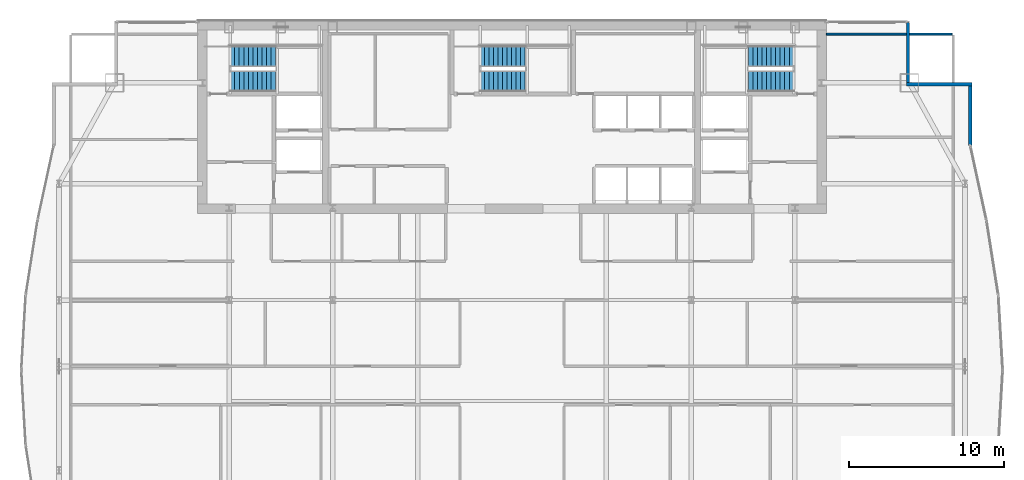
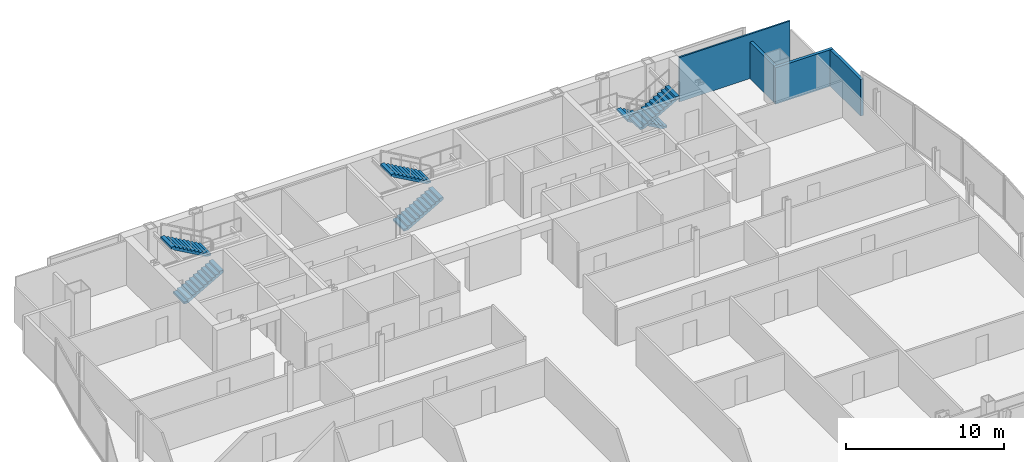
# One storey, part 28 of 30: 6 stair flights, 4 walls, 3 elements without a shape of their own.
"""IFC4 building model written with IfcOpenShell, lengths in metres."""

from ifc_helpers import new_model, si_unit, direction, frame, frame_2d, origin, place, context, subcontext, project, spatial, polyline, rectangle, outline, extrude, material, layer, layer_set, type_object, element, aggregate, save


model = new_model("IFC4")

# Units and contexts
model_context = context("Model", 3, precision=1e-05, world=origin(), true_north=direction((0.0, 1.0)))
body_context = subcontext(model_context, "Body", "Model", "MODEL_VIEW")
ifc_project = project(units=[si_unit("LENGTHUNIT", "METRE"), si_unit("AREAUNIT", "SQUARE_METRE"), si_unit("VOLUMEUNIT", "CUBIC_METRE"), si_unit("PLANEANGLEUNIT", "RADIAN"), si_unit("MASSUNIT", "GRAM", prefix="KILO")], contexts=[model_context])

# Site, building, storey
site_placement = place(None, origin())
site = spatial("IfcSite", under=ifc_project, at=site_placement, CompositionType="ELEMENT")
building_placement = place(site_placement, origin())
building = spatial("IfcBuilding", under=site, at=building_placement, Name="Khoronbel Lancet Exchange", CompositionType="ELEMENT")
storey_placement = place(building_placement, frame((0.0, 0.0, 217.39990234375)))
storey = spatial("IfcBuildingStorey", under=building, at=storey_placement, Name="L55", CompositionType="ELEMENT", Elevation=217.39990234375)

# Walls
ifc_material_1 = material(Name="Precast concrete C40/50", Category="concrete")
ifc_layer_1 = layer(ifc_material_1, 0.25, Name="Precast concrete C40/50")
ifc_layer_set_1 = layer_set([ifc_layer_1], Name="Precast concrete C40/50")
wall_type_1 = type_object("IfcWallType", Name="WL-EXT250", PredefinedType="SOLIDWALL", material=ifc_layer_set_1)
wall_1_placement = place(storey_placement, frame((61.9599609375, 53.6298828125, 0.0), z_axis=(0.0, 0.0, 1.0), x_axis=(0.0, -1.0, 0.0)))
element("IfcWall", 1, at=wall_1_placement, inside=storey, type_object=wall_type_1, Name="Level L55 notched-corner limestone pier 14", PredefinedType="SOLIDWALL", context=body_context, shape_type="SweptSolid", body=[
    extrude(rectangle(XDim=3.909912109375, YDim=0.219970703125, at=frame_2d((1.955078125, 0.0))), origin(), (0.0, 0.0, 1.0), 2.830078125),
])
wall_2_placement = place(storey_placement, frame((61.85009765625, 49.610107421875, 0.0), z_axis=(0.0, 0.0, 1.0), x_axis=(1.0, 0.0, 0.0)))
element("IfcWall", 2, at=wall_2_placement, inside=storey, type_object=wall_type_1, Name="Level L55 notched-corner limestone pier 15", PredefinedType="SOLIDWALL", context=body_context, shape_type="SweptSolid", body=[
    extrude(rectangle(XDim=4.219970703125, YDim=0.219970703125, at=frame_2d((2.10986328125, 0.0))), origin(), (0.0, 0.0, 1.0), 2.830078125),
])
wall_3_placement = place(storey_placement, frame((65.9599609375, 49.5, 0.0), z_axis=(0.0, 0.0, 1.0), x_axis=(0.0, -1.0, 0.0)))
element("IfcWall", 3, at=wall_3_placement, inside=storey, type_object=wall_type_1, Name="Level L55 notched-corner limestone pier 16", PredefinedType="SOLIDWALL", context=body_context, shape_type="SweptSolid", body=[
    extrude(rectangle(XDim=3.82958984375, YDim=0.219970703125, at=frame_2d((1.914794921875, 0.0))), origin(), (0.0, 0.0, 1.0), 2.830078125),
])
ifc_material_2 = material(Name="Acoustic Metal-Stud & Mineral-Wool Gypsum Partition 120 mm", Category="gypsum")
ifc_layer_2 = layer(ifc_material_2, 0.1201171875, Name="Acoustic Metal-Stud & Mineral-Wool Gypsum Partition 120 mm")
ifc_layer_set_2 = layer_set([ifc_layer_2], Name="Acoustic Metal-Stud & Mineral-Wool Gypsum Partition 120 mm")
wall_type_2 = type_object("IfcWallType", Name="WL-PRT120", PredefinedType="PARTITIONING", material=ifc_layer_set_2)
wall_4_placement = place(storey_placement, frame((56.699951171875, 52.840087890625, 0.0), z_axis=(0.0, 0.0, 1.0), x_axis=(1.0, 0.0, 0.0)))
element("IfcWall", 4, at=wall_4_placement, inside=storey, type_object=wall_type_2, Name="Level L55 interior partition PW-LIN-NE", PredefinedType="PARTITIONING", context=body_context, shape_type="SweptSolid", body=[
    extrude(rectangle(XDim=8.10498046875, YDim=0.1201171875, at=frame_2d((4.052490234375, 0.0))), origin(), (0.0, 0.0, 1.0), 3.440185546875),
])

# Stair, stair flights
ifc_material_3 = material(Name="Concrete C40/50", Category="concrete")
stair_type = type_object("IfcStairType", Name="STR-CORE150", PredefinedType="HALF_TURN_STAIR", material=ifc_material_3)
stair_1_placement = place(storey_placement, origin())
stair_1 = element("IfcStair", 5, at=stair_1_placement, inside=storey, type_object=stair_type, Name="L55 Protected Exit Stair ST1", PredefinedType="HALF_TURN_STAIR")
stair_flight_type = type_object("IfcStairFlightType", Name="STF-150", PredefinedType="STRAIGHT", material=ifc_material_3)
stair_flight_1_placement = place(storey_placement, frame((18.300048828125, 49.81005859375, 0.0), z_axis=(0.0, 0.0, 1.0), x_axis=(1.0, 0.0, 0.0)))
stair_flight_1 = element("IfcStairFlight", 6, at=stair_flight_1_placement, type_object=stair_flight_type, Name="ST1 flight 1", NumberOfRisers=11, NumberOfTreads=10, PredefinedType="STRAIGHT", RiserHeight=0.163636364, TreadLength=0.29, context=body_context, shape_type="SweptSolid", body=[
    extrude(outline(polyline([(0.0, 0.0), (0.0, 0.16357421875), (0.2900390625, 0.16357421875), (0.2900390625, 0.327392578125), (0.580078125, 0.327392578125), (0.580078125, 0.490966796875), (0.8701171875, 0.490966796875), (0.8701171875, 0.654541015625), (1.159912109375, 0.654541015625), (1.159912109375, 0.818115234375), (1.449951171875, 0.818115234375), (1.449951171875, 0.98193359375), (1.739990234375, 0.98193359375), (1.739990234375, 1.1455078125), (2.030029296875, 1.1455078125), (2.030029296875, 1.30908203125), (2.320068359375, 1.30908203125), (2.320068359375, 1.47265625), (2.610107421875, 1.47265625), (2.610107421875, 1.636474609375), (2.89990234375, 1.636474609375), (2.89990234375, 1.800048828125), (2.89990234375, 1.46435546875), (0.304931640625, 0.0), (0.0, 0.0)])), frame((0.0, 0.68994140625, 0.0), z_axis=(0.0, -1.0, 0.0), x_axis=(1.0, 0.0, 0.0)), (0.0, 0.0, 1.0), 1.3798828125),
])
stair_flight_2_placement = place(storey_placement, frame((21.199951171875, 51.409912109375, 1.800048828125), z_axis=(0.0, 0.0, 1.0), x_axis=(-1.0, 0.0, 0.0)))
stair_flight_2 = element("IfcStairFlight", 7, at=stair_flight_2_placement, type_object=stair_flight_type, Name="ST1 flight 2", NumberOfRisers=11, NumberOfTreads=10, PredefinedType="STRAIGHT", RiserHeight=0.163636364, TreadLength=0.29, context=body_context, shape_type="SweptSolid", body=[
    extrude(outline(polyline([(0.0, 0.0), (0.0, 0.16357421875), (0.2900390625, 0.16357421875), (0.2900390625, 0.327392578125), (0.580078125, 0.327392578125), (0.580078125, 0.490966796875), (0.8701171875, 0.490966796875), (0.8701171875, 0.654541015625), (1.159912109375, 0.654541015625), (1.159912109375, 0.818115234375), (1.449951171875, 0.818115234375), (1.449951171875, 0.98193359375), (1.739990234375, 0.98193359375), (1.739990234375, 1.1455078125), (2.030029296875, 1.1455078125), (2.030029296875, 1.30908203125), (2.320068359375, 1.30908203125), (2.320068359375, 1.47265625), (2.610107421875, 1.47265625), (2.610107421875, 1.636474609375), (2.89990234375, 1.636474609375), (2.89990234375, 1.800048828125), (2.89990234375, 1.46435546875), (0.304931640625, 0.0), (0.0, 0.0)])), frame((0.0, 0.68994140625, 0.0), z_axis=(0.0, -1.0, 0.0), x_axis=(1.0, 0.0, 0.0)), (0.0, 0.0, 1.0), 1.3798828125),
])
aggregate(stair_1, [stair_flight_1, stair_flight_2])

stair_2_placement = place(storey_placement, origin())
stair_2 = element("IfcStair", 8, at=stair_2_placement, inside=storey, type_object=stair_type, Name="L55 Protected Exit Stair ST2", PredefinedType="HALF_TURN_STAIR")
stair_flight_3_placement = place(storey_placement, frame((54.60009765625, 51.409912109375, 0.0), z_axis=(0.0, 0.0, 1.0), x_axis=(-1.0, 0.0, 0.0)))
stair_flight_3 = element("IfcStairFlight", 9, at=stair_flight_3_placement, type_object=stair_flight_type, Name="ST2 flight 1", NumberOfRisers=11, NumberOfTreads=10, PredefinedType="STRAIGHT", RiserHeight=0.163636364, TreadLength=0.29, context=body_context, shape_type="SweptSolid", body=[
    extrude(outline(polyline([(0.0, 0.0), (0.0, 0.16357421875), (0.2900390625, 0.16357421875), (0.2900390625, 0.327392578125), (0.580078125, 0.327392578125), (0.580078125, 0.490966796875), (0.8701171875, 0.490966796875), (0.8701171875, 0.654541015625), (1.159912109375, 0.654541015625), (1.159912109375, 0.818115234375), (1.449951171875, 0.818115234375), (1.449951171875, 0.98193359375), (1.739990234375, 0.98193359375), (1.739990234375, 1.1455078125), (2.030029296875, 1.1455078125), (2.030029296875, 1.30908203125), (2.320068359375, 1.30908203125), (2.320068359375, 1.47265625), (2.610107421875, 1.47265625), (2.610107421875, 1.636474609375), (2.89990234375, 1.636474609375), (2.89990234375, 1.800048828125), (2.89990234375, 1.46435546875), (0.304931640625, 0.0), (0.0, 0.0)])), frame((0.0, 0.68994140625, 0.0), z_axis=(0.0, -1.0, 0.0), x_axis=(1.0, 0.0, 0.0)), (0.0, 0.0, 1.0), 1.3798828125),
])
stair_flight_4_placement = place(storey_placement, frame((51.699951171875, 49.81005859375, 1.800048828125), z_axis=(0.0, 0.0, 1.0), x_axis=(1.0, 0.0, 0.0)))
stair_flight_4 = element("IfcStairFlight", 10, at=stair_flight_4_placement, type_object=stair_flight_type, Name="ST2 flight 2", NumberOfRisers=11, NumberOfTreads=10, PredefinedType="STRAIGHT", RiserHeight=0.163636364, TreadLength=0.29, context=body_context, shape_type="SweptSolid", body=[
    extrude(outline(polyline([(0.0, 0.0), (0.0, 0.16357421875), (0.2900390625, 0.16357421875), (0.2900390625, 0.327392578125), (0.580078125, 0.327392578125), (0.580078125, 0.490966796875), (0.8701171875, 0.490966796875), (0.8701171875, 0.654541015625), (1.159912109375, 0.654541015625), (1.159912109375, 0.818115234375), (1.449951171875, 0.818115234375), (1.449951171875, 0.98193359375), (1.739990234375, 0.98193359375), (1.739990234375, 1.1455078125), (2.030029296875, 1.1455078125), (2.030029296875, 1.30908203125), (2.320068359375, 1.30908203125), (2.320068359375, 1.47265625), (2.610107421875, 1.47265625), (2.610107421875, 1.636474609375), (2.89990234375, 1.636474609375), (2.89990234375, 1.800048828125), (2.89990234375, 1.46435546875), (0.304931640625, 0.0), (0.0, 0.0)])), frame((0.0, 0.68994140625, 0.0), z_axis=(0.0, -1.0, 0.0), x_axis=(1.0, 0.0, 0.0)), (0.0, 0.0, 1.0), 1.3798828125),
])
aggregate(stair_2, [stair_flight_3, stair_flight_4])

stair_3_placement = place(storey_placement, origin())
stair_3 = element("IfcStair", 11, at=stair_3_placement, inside=storey, type_object=stair_type, Name="L55 Protected Exit Stair ST3", PredefinedType="HALF_TURN_STAIR")
stair_flight_5_placement = place(storey_placement, frame((34.39990234375, 49.81005859375, 0.0), z_axis=(0.0, 0.0, 1.0), x_axis=(1.0, 0.0, 0.0)))
stair_flight_5 = element("IfcStairFlight", 12, at=stair_flight_5_placement, type_object=stair_flight_type, Name="ST3 flight 1", NumberOfRisers=11, NumberOfTreads=10, PredefinedType="STRAIGHT", RiserHeight=0.163636364, TreadLength=0.29, context=body_context, shape_type="SweptSolid", body=[
    extrude(outline(polyline([(0.0, 0.0), (0.0, 0.16357421875), (0.2900390625, 0.16357421875), (0.2900390625, 0.327392578125), (0.580078125, 0.327392578125), (0.580078125, 0.490966796875), (0.8701171875, 0.490966796875), (0.8701171875, 0.654541015625), (1.159912109375, 0.654541015625), (1.159912109375, 0.818115234375), (1.449951171875, 0.818115234375), (1.449951171875, 0.98193359375), (1.739990234375, 0.98193359375), (1.739990234375, 1.1455078125), (2.030029296875, 1.1455078125), (2.030029296875, 1.30908203125), (2.320068359375, 1.30908203125), (2.320068359375, 1.47265625), (2.610107421875, 1.47265625), (2.610107421875, 1.636474609375), (2.89990234375, 1.636474609375), (2.89990234375, 1.800048828125), (2.89990234375, 1.46435546875), (0.304931640625, 0.0), (0.0, 0.0)])), frame((0.0, 0.68994140625, 0.0), z_axis=(0.0, -1.0, 0.0), x_axis=(1.0, 0.0, 0.0)), (0.0, 0.0, 1.0), 1.3798828125),
])
stair_flight_6_placement = place(storey_placement, frame((37.300048828125, 51.409912109375, 1.800048828125), z_axis=(0.0, 0.0, 1.0), x_axis=(-1.0, 0.0, 0.0)))
stair_flight_6 = element("IfcStairFlight", 13, at=stair_flight_6_placement, type_object=stair_flight_type, Name="ST3 flight 2", NumberOfRisers=11, NumberOfTreads=10, PredefinedType="STRAIGHT", RiserHeight=0.163636364, TreadLength=0.29, context=body_context, shape_type="SweptSolid", body=[
    extrude(outline(polyline([(0.0, 0.0), (0.0, 0.16357421875), (0.2900390625, 0.16357421875), (0.2900390625, 0.327392578125), (0.580078125, 0.327392578125), (0.580078125, 0.490966796875), (0.8701171875, 0.490966796875), (0.8701171875, 0.654541015625), (1.159912109375, 0.654541015625), (1.159912109375, 0.818115234375), (1.449951171875, 0.818115234375), (1.449951171875, 0.98193359375), (1.739990234375, 0.98193359375), (1.739990234375, 1.1455078125), (2.030029296875, 1.1455078125), (2.030029296875, 1.30908203125), (2.320068359375, 1.30908203125), (2.320068359375, 1.47265625), (2.610107421875, 1.47265625), (2.610107421875, 1.636474609375), (2.89990234375, 1.636474609375), (2.89990234375, 1.800048828125), (2.89990234375, 1.46435546875), (0.304931640625, 0.0), (0.0, 0.0)])), frame((0.0, 0.68994140625, 0.0), z_axis=(0.0, -1.0, 0.0), x_axis=(1.0, 0.0, 0.0)), (0.0, 0.0, 1.0), 1.3798828125),
])
aggregate(stair_3, [stair_flight_5, stair_flight_6])

save(model, "model.ifc")
